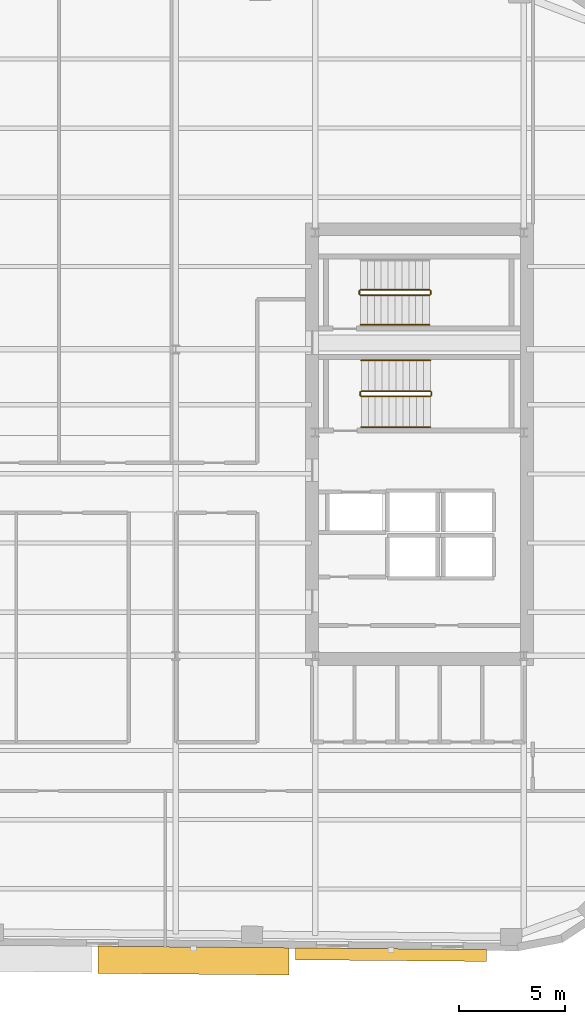
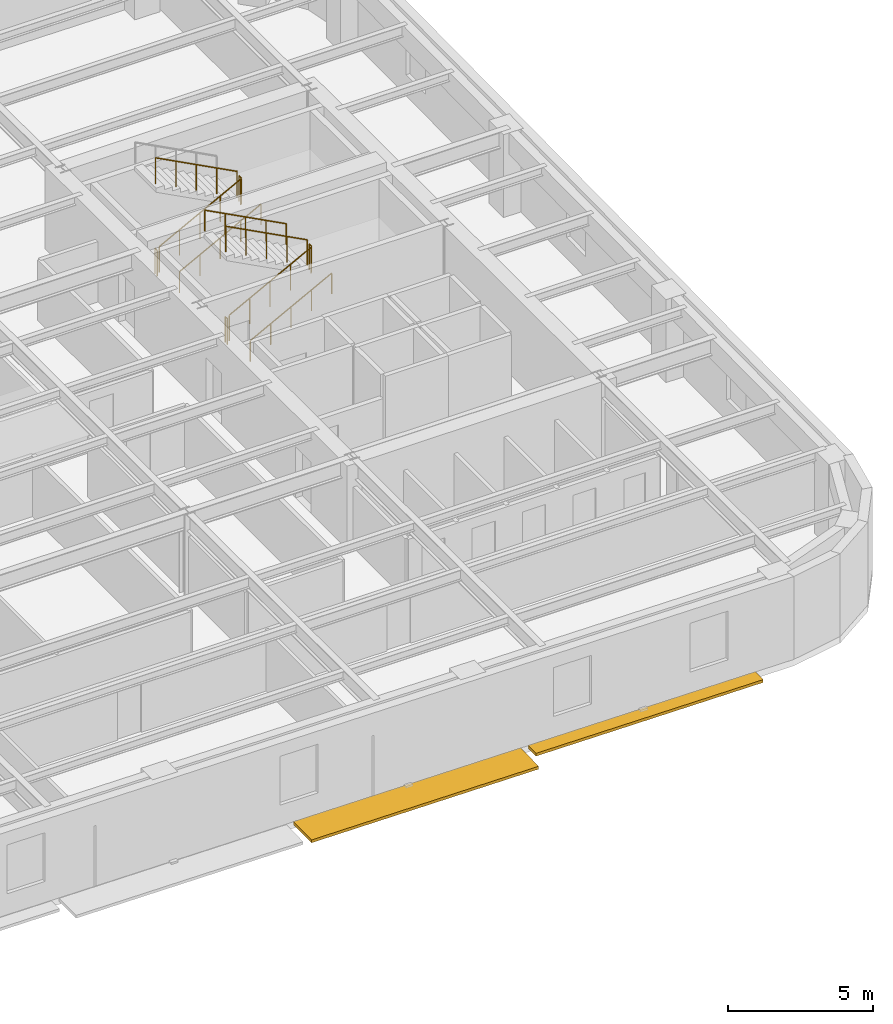
# One storey, part 10 of 11: 11 railings, 2 shading devices.
"""IFC4 building model written with IfcOpenShell, lengths in metres."""

from ifc_helpers import new_model, si_unit, direction, frame, origin, origin_2d, place, context, subcontext, project, spatial, rectangle, circle, extrude, material, type_object, element, save


model = new_model("IFC4")

# Units and contexts
model_context = context("Model", 3, precision=1e-05, world=origin(), true_north=direction((0.0, 1.0)))
body_context = subcontext(model_context, "Body", "Model", "MODEL_VIEW")
ifc_project = project(units=[si_unit("LENGTHUNIT", "METRE"), si_unit("AREAUNIT", "SQUARE_METRE"), si_unit("VOLUMEUNIT", "CUBIC_METRE"), si_unit("PLANEANGLEUNIT", "RADIAN"), si_unit("MASSUNIT", "GRAM", prefix="KILO")], contexts=[model_context])

# Site, building, storey
site_placement = place(None, origin())
site = spatial("IfcSite", under=ifc_project, at=site_placement, CompositionType="ELEMENT")
building_placement = place(site_placement, origin())
building = spatial("IfcBuilding", under=site, at=building_placement, Name="Kolvaren Arena Tower", CompositionType="ELEMENT")
storey_placement = place(building_placement, frame((0.0, 0.0, 184.699951171875)))
storey = spatial("IfcBuildingStorey", under=building, at=storey_placement, Name="L44", CompositionType="ELEMENT", Elevation=184.699951171875)

# Railings
ifc_material_1 = material(Name="Painted galvanized steel", Category="steel")
railing_type_1 = type_object("IfcRailingType", Name="GUARD-ST-110", PredefinedType="GUARDRAIL", material=ifc_material_1)
railing_1_placement = place(storey_placement, frame((52.719970703125, 31.639892578125, 0.17041015625)))
element("IfcRailing", 1, at=railing_1_placement, inside=storey, type_object=railing_type_1, Name="L44 ST-E1 stair guard 1", PredefinedType="GUARDRAIL", context=body_context, shape_type="SweptSolid", body=[
    extrude(circle(Radius=0.02392578125, at=origin_2d()), frame((0.0, 0.0, 1.076171875), z_axis=(0.884993431791, 0.0, 0.465603506952), x_axis=(0.0, 1.0, 0.0)), (0.0, 0.0, 1.0), 3.6611328125),
    extrude(circle(Radius=0.02099609375, at=origin_2d()), origin(), (0.0, 0.0, 1.0), 1.052001953125),
    extrude(circle(Radius=0.02099609375, at=origin_2d()), frame((0.81005859375, 0.0, 0.42626953125)), (0.0, 0.0, 1.0), 1.052001953125),
    extrude(circle(Radius=0.02099609375, at=origin_2d()), frame((1.6201171875, 0.0, 0.852294921875)), (0.0, 0.0, 1.0), 1.052001953125),
    extrude(circle(Radius=0.02099609375, at=origin_2d()), frame((2.429931640625, 0.0, 1.2783203125)), (0.0, 0.0, 1.0), 1.052001953125),
    extrude(circle(Radius=0.02099609375, at=origin_2d()), frame((3.239990234375, 0.0, 1.70458984375)), (0.0, 0.0, 1.0), 1.052001953125),
])
railing_2_placement = place(storey_placement, frame((56.010009765625, 31.68994140625, 1.875)))
element("IfcRailing", 2, at=railing_2_placement, inside=storey, type_object=railing_type_1, Name="L44 ST-E1 stair guard 2", PredefinedType="GUARDRAIL", context=body_context, shape_type="SweptSolid", body=[
    extrude(circle(Radius=0.02392578125, at=origin_2d()), frame((0.0, 0.0, 1.076171875), z_axis=(0.0, 1.0, 0.0), x_axis=(-1.0, 0.0, 0.0)), (0.0, 0.0, 1.0), 0.150146484375),
    extrude(circle(Radius=0.02099609375, at=origin_2d()), origin(), (0.0, 0.0, 1.0), 1.052001953125),
    extrude(circle(Radius=0.02099609375, at=origin_2d()), frame((0.0, 0.150146484375, 0.0)), (0.0, 0.0, 1.0), 1.052001953125),
])
railing_3_placement = place(storey_placement, frame((55.9599609375, 31.889892578125, 2.04541015625)))
element("IfcRailing", 3, at=railing_3_placement, inside=storey, type_object=railing_type_1, Name="L44 ST-E1 stair guard 3", PredefinedType="GUARDRAIL", context=body_context, shape_type="SweptSolid", body=[
    extrude(circle(Radius=0.02392578125, at=origin_2d()), frame((0.0, 0.0, 1.076171875), z_axis=(-0.884993431791, 0.0, 0.465603506952), x_axis=(0.0, -1.0, 0.0)), (0.0, 0.0, 1.0), 3.6611328125),
    extrude(circle(Radius=0.02099609375, at=origin_2d()), origin(), (0.0, 0.0, 1.0), 1.052001953125),
    extrude(circle(Radius=0.02099609375, at=origin_2d()), frame((-0.81005859375, 0.0, 0.42626953125)), (0.0, 0.0, 1.0), 1.052001953125),
    extrude(circle(Radius=0.02099609375, at=origin_2d()), frame((-1.6201171875, 0.0, 0.852294921875)), (0.0, 0.0, 1.0), 1.052001953125),
    extrude(circle(Radius=0.02099609375, at=origin_2d()), frame((-2.429931640625, 0.0, 1.2783203125)), (0.0, 0.0, 1.0), 1.052001953125),
    extrude(circle(Radius=0.02099609375, at=origin_2d()), frame((-3.239990234375, 0.0, 1.70458984375)), (0.0, 0.0, 1.0), 1.052001953125),
])
railing_4_placement = place(storey_placement, frame((52.669921875, 31.68994140625, 0.0)))
element("IfcRailing", 4, at=railing_4_placement, inside=storey, type_object=railing_type_1, Name="L44 ST-E1 stair guard 4", PredefinedType="GUARDRAIL", context=body_context, shape_type="SweptSolid", body=[
    extrude(circle(Radius=0.02392578125, at=origin_2d()), frame((0.0, 0.0, 1.076171875), z_axis=(0.0, 1.0, 0.0), x_axis=(-1.0, 0.0, 0.0)), (0.0, 0.0, 1.0), 0.150146484375),
    extrude(circle(Radius=0.02099609375, at=origin_2d()), origin(), (0.0, 0.0, 1.0), 1.052001953125),
    extrude(circle(Radius=0.02099609375, at=origin_2d()), frame((0.0, 0.150146484375, 0.0)), (0.0, 0.0, 1.0), 1.052001953125),
])
railing_5_placement = place(storey_placement, frame((52.679931640625, 36.39990234375, 0.17041015625)))
element("IfcRailing", 5, at=railing_5_placement, inside=storey, type_object=railing_type_1, Name="L44 ST-E2 stair guard 1", PredefinedType="GUARDRAIL", context=body_context, shape_type="SweptSolid", body=[
    extrude(circle(Radius=0.02392578125, at=origin_2d()), frame((0.0, 0.0, 1.076171875), z_axis=(0.884993431791, 0.0, 0.465603506952), x_axis=(0.0, 1.0, 0.0)), (0.0, 0.0, 1.0), 3.6611328125),
    extrude(circle(Radius=0.02099609375, at=origin_2d()), origin(), (0.0, 0.0, 1.0), 1.052001953125),
    extrude(circle(Radius=0.02099609375, at=origin_2d()), frame((0.81005859375, 0.0, 0.42626953125)), (0.0, 0.0, 1.0), 1.052001953125),
    extrude(circle(Radius=0.02099609375, at=origin_2d()), frame((1.6201171875, 0.0, 0.852294921875)), (0.0, 0.0, 1.0), 1.052001953125),
    extrude(circle(Radius=0.02099609375, at=origin_2d()), frame((2.429931640625, 0.0, 1.2783203125)), (0.0, 0.0, 1.0), 1.052001953125),
    extrude(circle(Radius=0.02099609375, at=origin_2d()), frame((3.239990234375, 0.0, 1.70458984375)), (0.0, 0.0, 1.0), 1.052001953125),
])
railing_6_placement = place(storey_placement, frame((55.969970703125, 36.449951171875, 1.875)))
element("IfcRailing", 6, at=railing_6_placement, inside=storey, type_object=railing_type_1, Name="L44 ST-E2 stair guard 2", PredefinedType="GUARDRAIL", context=body_context, shape_type="SweptSolid", body=[
    extrude(circle(Radius=0.02392578125, at=origin_2d()), frame((0.0, 0.0, 1.076171875), z_axis=(0.0, 1.0, 0.0), x_axis=(-1.0, 0.0, 0.0)), (0.0, 0.0, 1.0), 0.150146484375),
    extrude(circle(Radius=0.02099609375, at=origin_2d()), origin(), (0.0, 0.0, 1.0), 1.052001953125),
    extrude(circle(Radius=0.02099609375, at=origin_2d()), frame((0.0, 0.150146484375, 0.0)), (0.0, 0.0, 1.0), 1.052001953125),
])
railing_7_placement = place(storey_placement, frame((55.919921875, 36.64990234375, 2.04541015625)))
element("IfcRailing", 7, at=railing_7_placement, inside=storey, type_object=railing_type_1, Name="L44 ST-E2 stair guard 3", PredefinedType="GUARDRAIL", context=body_context, shape_type="SweptSolid", body=[
    extrude(circle(Radius=0.02392578125, at=origin_2d()), frame((0.0, 0.0, 1.076171875), z_axis=(-0.884993431791, 0.0, 0.465603506952), x_axis=(0.0, -1.0, 0.0)), (0.0, 0.0, 1.0), 3.6611328125),
    extrude(circle(Radius=0.02099609375, at=origin_2d()), origin(), (0.0, 0.0, 1.0), 1.052001953125),
    extrude(circle(Radius=0.02099609375, at=origin_2d()), frame((-0.81005859375, 0.0, 0.42626953125)), (0.0, 0.0, 1.0), 1.052001953125),
    extrude(circle(Radius=0.02099609375, at=origin_2d()), frame((-1.6201171875, 0.0, 0.852294921875)), (0.0, 0.0, 1.0), 1.052001953125),
    extrude(circle(Radius=0.02099609375, at=origin_2d()), frame((-2.429931640625, 0.0, 1.2783203125)), (0.0, 0.0, 1.0), 1.052001953125),
    extrude(circle(Radius=0.02099609375, at=origin_2d()), frame((-3.239990234375, 0.0, 1.70458984375)), (0.0, 0.0, 1.0), 1.052001953125),
])
railing_8_placement = place(storey_placement, frame((52.6298828125, 36.449951171875, 0.0)))
element("IfcRailing", 8, at=railing_8_placement, inside=storey, type_object=railing_type_1, Name="L44 ST-E2 stair guard 4", PredefinedType="GUARDRAIL", context=body_context, shape_type="SweptSolid", body=[
    extrude(circle(Radius=0.02392578125, at=origin_2d()), frame((0.0, 0.0, 1.076171875), z_axis=(0.0, 1.0, 0.0), x_axis=(-1.0, 0.0, 0.0)), (0.0, 0.0, 1.0), 0.150146484375),
    extrude(circle(Radius=0.02099609375, at=origin_2d()), origin(), (0.0, 0.0, 1.0), 1.052001953125),
    extrude(circle(Radius=0.02099609375, at=origin_2d()), frame((0.0, 0.150146484375, 0.0)), (0.0, 0.0, 1.0), 1.052001953125),
])
ifc_material_2 = material(Name="Brushed stainless steel handrail", Category="steel")
railing_type_2 = type_object("IfcRailingType", Name="HRAIL-900", PredefinedType="HANDRAIL", material=ifc_material_2)
railing_9_placement = place(storey_placement, frame((52.719970703125, 30.199951171875, 0.17041015625)))
element("IfcRailing", 9, at=railing_9_placement, inside=storey, type_object=railing_type_2, Name="L44 ST-E1 stair handrail 1", PredefinedType="HANDRAIL", context=body_context, shape_type="SweptSolid", body=[
    extrude(circle(Radius=0.02392578125, at=origin_2d()), frame((0.0, 0.0, 0.8759765625), z_axis=(0.884993431791, 0.0, 0.465603506952), x_axis=(0.0, 1.0, 0.0)), (0.0, 0.0, 1.0), 3.6611328125),
    extrude(circle(Radius=0.02099609375, at=origin_2d()), origin(), (0.0, 0.0, 1.0), 0.851806640625),
    extrude(circle(Radius=0.02099609375, at=origin_2d()), frame((0.81005859375, 0.0, 0.42626953125)), (0.0, 0.0, 1.0), 0.851806640625),
    extrude(circle(Radius=0.02099609375, at=origin_2d()), frame((1.6201171875, 0.0, 0.852294921875)), (0.0, 0.0, 1.0), 0.851806640625),
    extrude(circle(Radius=0.02099609375, at=origin_2d()), frame((2.429931640625, 0.0, 1.2783203125)), (0.0, 0.0, 1.0), 0.851806640625),
    extrude(circle(Radius=0.02099609375, at=origin_2d()), frame((3.239990234375, 0.0, 1.70458984375)), (0.0, 0.0, 1.0), 0.851806640625),
])
railing_10_placement = place(storey_placement, frame((55.9599609375, 33.330078125, 2.04541015625)))
element("IfcRailing", 10, at=railing_10_placement, inside=storey, type_object=railing_type_2, Name="L44 ST-E1 stair handrail 2", PredefinedType="HANDRAIL", context=body_context, shape_type="SweptSolid", body=[
    extrude(circle(Radius=0.02392578125, at=origin_2d()), frame((0.0, 0.0, 0.8759765625), z_axis=(-0.884993431791, 0.0, 0.465603506952), x_axis=(0.0, -1.0, 0.0)), (0.0, 0.0, 1.0), 3.6611328125),
    extrude(circle(Radius=0.02099609375, at=origin_2d()), origin(), (0.0, 0.0, 1.0), 0.851806640625),
    extrude(circle(Radius=0.02099609375, at=origin_2d()), frame((-0.81005859375, 0.0, 0.42626953125)), (0.0, 0.0, 1.0), 0.851806640625),
    extrude(circle(Radius=0.02099609375, at=origin_2d()), frame((-1.6201171875, 0.0, 0.852294921875)), (0.0, 0.0, 1.0), 0.851806640625),
    extrude(circle(Radius=0.02099609375, at=origin_2d()), frame((-2.429931640625, 0.0, 1.2783203125)), (0.0, 0.0, 1.0), 0.851806640625),
    extrude(circle(Radius=0.02099609375, at=origin_2d()), frame((-3.239990234375, 0.0, 1.70458984375)), (0.0, 0.0, 1.0), 0.851806640625),
])
railing_11_placement = place(storey_placement, frame((52.679931640625, 35.0, 0.17041015625)))
element("IfcRailing", 11, at=railing_11_placement, inside=storey, type_object=railing_type_2, Name="L44 ST-E2 stair handrail 1", PredefinedType="HANDRAIL", context=body_context, shape_type="SweptSolid", body=[
    extrude(circle(Radius=0.02392578125, at=origin_2d()), frame((0.0, 0.0, 0.8759765625), z_axis=(0.884993431791, 0.0, 0.465603506952), x_axis=(0.0, 1.0, 0.0)), (0.0, 0.0, 1.0), 3.6611328125),
    extrude(circle(Radius=0.02099609375, at=origin_2d()), origin(), (0.0, 0.0, 1.0), 0.851806640625),
    extrude(circle(Radius=0.02099609375, at=origin_2d()), frame((0.81005859375, 0.0, 0.42626953125)), (0.0, 0.0, 1.0), 0.851806640625),
    extrude(circle(Radius=0.02099609375, at=origin_2d()), frame((1.6201171875, 0.0, 0.852294921875)), (0.0, 0.0, 1.0), 0.851806640625),
    extrude(circle(Radius=0.02099609375, at=origin_2d()), frame((2.429931640625, 0.0, 1.2783203125)), (0.0, 0.0, 1.0), 0.851806640625),
    extrude(circle(Radius=0.02099609375, at=origin_2d()), frame((3.239990234375, 0.0, 1.70458984375)), (0.0, 0.0, 1.0), 0.851806640625),
])

# Shading devices
ifc_material_3 = material(Name="Architectural precast GFRC and anodised aluminium sunshade", Category="concrete")
shading_device_type_1 = type_object("IfcShadingDeviceType", Name="SHAD-SINE-A", PredefinedType="USERDEFINED", material=ifc_material_3)
shading_device_1_placement = place(storey_placement, frame((54.1083984375, 5.407470703125, -0.139892578125), z_axis=(0.0, 0.0, 1.0), x_axis=(-0.999961923064, 0.008726535498, 0.0)))
element("IfcShadingDevice", 12, at=shading_device_1_placement, inside=storey, type_object=shading_device_type_1, Name="Sinusoidal Slab-Edge Sunshade Louvre (L44)", ObjectType="LOUVRE", PredefinedType="USERDEFINED", context=body_context, shape_type="SweptSolid", body=[
    extrude(rectangle(XDim=8.97998046875, YDim=0.560302734375, at=origin_2d()), origin(), (0.0, 0.0, 1.0), 0.1201171875),
])
shading_device_type_2 = type_object("IfcShadingDeviceType", Name="SHAD-SINE-B", PredefinedType="JALOUSIE", material=ifc_material_3)
shading_device_2_placement = place(storey_placement, frame((44.825439453125, 5.128662109375, -0.139892578125), z_axis=(0.0, 0.0, 1.0), x_axis=(-0.999961923064, 0.008726535498, 0.0)))
element("IfcShadingDevice", 13, at=shading_device_2_placement, inside=storey, type_object=shading_device_type_2, Name="Sinusoidal Slab-Edge Sunshade Louvre (L44)", PredefinedType="JALOUSIE", context=body_context, shape_type="SweptSolid", body=[
    extrude(rectangle(XDim=8.97998046875, YDim=1.280029296875, at=origin_2d()), origin(), (0.0, 0.0, 1.0), 0.1201171875),
])

save(model, "model.ifc")
